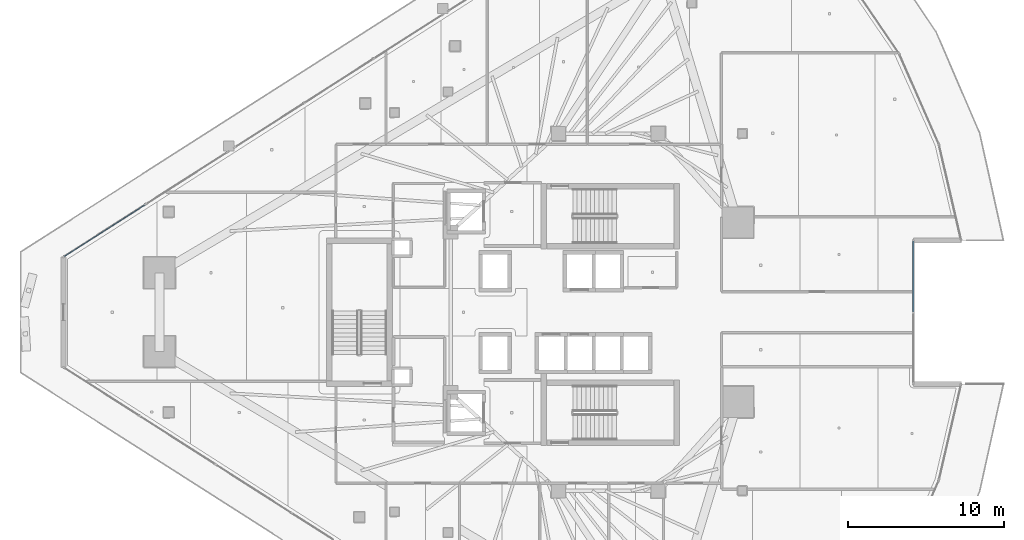
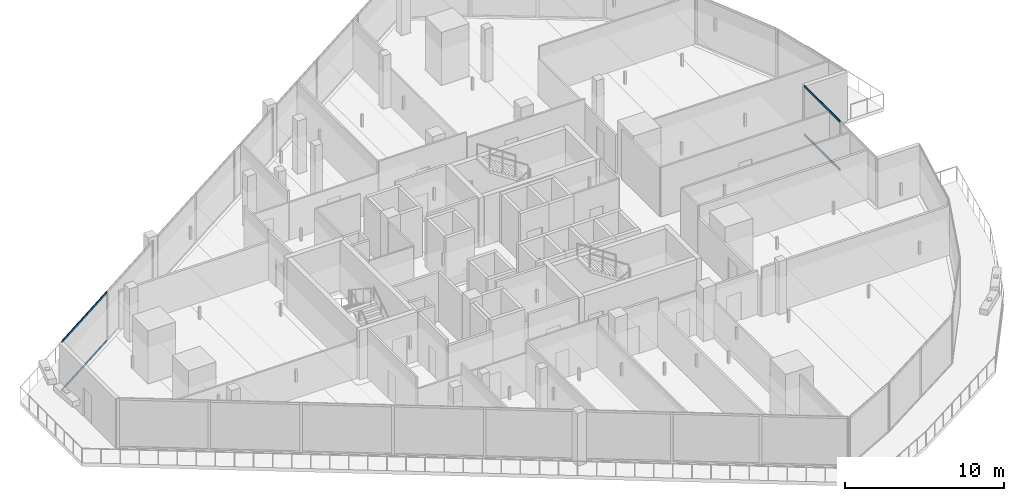
# One storey, part 13 of 37: 4 members, 2 elements without a shape of their own.
"""IFC4 building model written with IfcOpenShell, lengths in metres."""

from ifc_helpers import new_model, si_unit, direction, frame, origin, origin_2d, place, context, subcontext, project, spatial, hollow_rectangle, extrude, material, layer, layer_set, material_profile, profile_set, type_object, element, aggregate, save


model = new_model("IFC4")

# Units and contexts
model_context = context("Model", 3, precision=1e-05, world=origin(), true_north=direction((0.0, 1.0)))
body_context = subcontext(model_context, "Body", "Model", "MODEL_VIEW")
ifc_project = project(units=[si_unit("LENGTHUNIT", "METRE"), si_unit("AREAUNIT", "SQUARE_METRE"), si_unit("VOLUMEUNIT", "CUBIC_METRE"), si_unit("PLANEANGLEUNIT", "RADIAN"), si_unit("MASSUNIT", "GRAM", prefix="KILO")], contexts=[model_context])

# Site, building, storey
site_placement = place(None, origin())
site = spatial("IfcSite", under=ifc_project, at=site_placement, CompositionType="ELEMENT")
building_placement = place(site_placement, origin())
building = spatial("IfcBuilding", under=site, at=building_placement, Name="Qorvath Tower", CompositionType="ELEMENT")
storey_placement = place(building_placement, frame((0.0, 0.0, 184.800048828125)))
storey = spatial("IfcBuildingStorey", under=building, at=storey_placement, Name="L42", CompositionType="ELEMENT", Elevation=184.800048828125)

# Curtain wall, members
ifc_material_1 = material(Name="Anodised aluminium and triple low-E glass", Category="aluminium")
ifc_layer = layer(ifc_material_1, 0.179931640625)
ifc_layer_set = layer_set([ifc_layer], Name="CW-SYS-3")
curtain_wall_type = type_object("IfcCurtainWallType", Name="CW-SYS-3", PredefinedType="NOTDEFINED", material=ifc_layer_set)
curtain_wall_1_placement = place(storey_placement, origin())
curtain_wall_1 = element("IfcCurtainWall", 1, at=curtain_wall_1_placement, inside=storey, type_object=curtain_wall_type, Name="Curtain Wall CW-3 CW-T-L42-9.1", PredefinedType="NOTDEFINED")
ifc_material_2 = material(Name="Anodised aluminium 6063-T6", Category="aluminium")
ifc_material_profile = material_profile(ifc_material_2, hollow_rectangle(XDim=0.06494140625, YDim=0.159912109375, WallThickness=0.00341796875, InnerFilletRadius=0.00341796875, OuterFilletRadius=0.007080078125, at=origin_2d()), Name="CWT 160x65")
ifc_profile_set = profile_set([ifc_material_profile], Name="Anodised aluminium 6063-T6")
member_type = type_object("IfcMemberType", Name="CWT-160", PredefinedType="USERDEFINED", material=ifc_profile_set)
member_1_placement = place(storey_placement, frame((-0.83837890625, 0.032470703125, 0.032470703125), z_axis=(0.0, 1.0, 0.0), x_axis=(-1.0, 0.0, 0.0)))
member_1 = element("IfcMember", 2, at=member_1_placement, type_object=member_type, Name="CW-3 transom 2.1", ObjectType="TRANSOM", PredefinedType="USERDEFINED", context=body_context, shape_type="SweptSolid", body=[
    extrude(hollow_rectangle(XDim=0.06494140625, YDim=0.159912109375, WallThickness=0.00341796875, InnerFilletRadius=0.00341796875, OuterFilletRadius=0.007080078125, at=origin_2d()), origin(), (0.0, 0.0, 1.0), 4.50341796875),
])
member_2_placement = place(storey_placement, frame((-0.83837890625, 0.032470703125, 3.74755859375), z_axis=(0.0, 1.0, 0.0), x_axis=(-1.0, 0.0, 0.0)))
member_2 = element("IfcMember", 3, at=member_2_placement, type_object=member_type, Name="CW-3 transom 2.2", ObjectType="TRANSOM", PredefinedType="USERDEFINED", context=body_context, shape_type="SweptSolid", body=[
    extrude(hollow_rectangle(XDim=0.06494140625, YDim=0.159912109375, WallThickness=0.00341796875, InnerFilletRadius=0.00341796875, OuterFilletRadius=0.007080078125, at=origin_2d()), origin(), (0.0, 0.0, 1.0), 4.50341796875),
])
aggregate(curtain_wall_1, [member_1, member_2])

curtain_wall_2_placement = place(storey_placement, origin())
curtain_wall_2 = element("IfcCurtainWall", 4, at=curtain_wall_2_placement, inside=storey, type_object=curtain_wall_type, Name="Curtain Wall CW-3 CW-T-L42-16.3", PredefinedType="NOTDEFINED")
member_3_placement = place(storey_placement, frame((-50.080322265625, 6.893310546875, 0.032470703125), z_axis=(-0.842627354039, -0.538497114408, 0.0), x_axis=(0.538497114408, -0.842627354039, 0.0)))
member_3 = element("IfcMember", 5, at=member_3_placement, type_object=member_type, Name="CW-3 transom 2.1", ObjectType="TRANSOM", PredefinedType="USERDEFINED", context=body_context, shape_type="SweptSolid", body=[
    extrude(hollow_rectangle(XDim=0.06494140625, YDim=0.159912109375, WallThickness=0.00341796875, InnerFilletRadius=0.00341796875, OuterFilletRadius=0.007080078125, at=origin_2d()), origin(), (0.0, 0.0, 1.0), 6.16259765625),
])
member_4_placement = place(storey_placement, frame((-50.080322265625, 6.893310546875, 3.74755859375), z_axis=(-0.842627354039, -0.538497114408, 0.0), x_axis=(0.538497114408, -0.842627354039, 0.0)))
member_4 = element("IfcMember", 6, at=member_4_placement, type_object=member_type, Name="CW-3 transom 2.2", ObjectType="TRANSOM", PredefinedType="USERDEFINED", context=body_context, shape_type="SweptSolid", body=[
    extrude(hollow_rectangle(XDim=0.06494140625, YDim=0.159912109375, WallThickness=0.00341796875, InnerFilletRadius=0.00341796875, OuterFilletRadius=0.007080078125, at=origin_2d()), origin(), (0.0, 0.0, 1.0), 6.16259765625),
])
aggregate(curtain_wall_2, [member_3, member_4])

save(model, "model.ifc")
